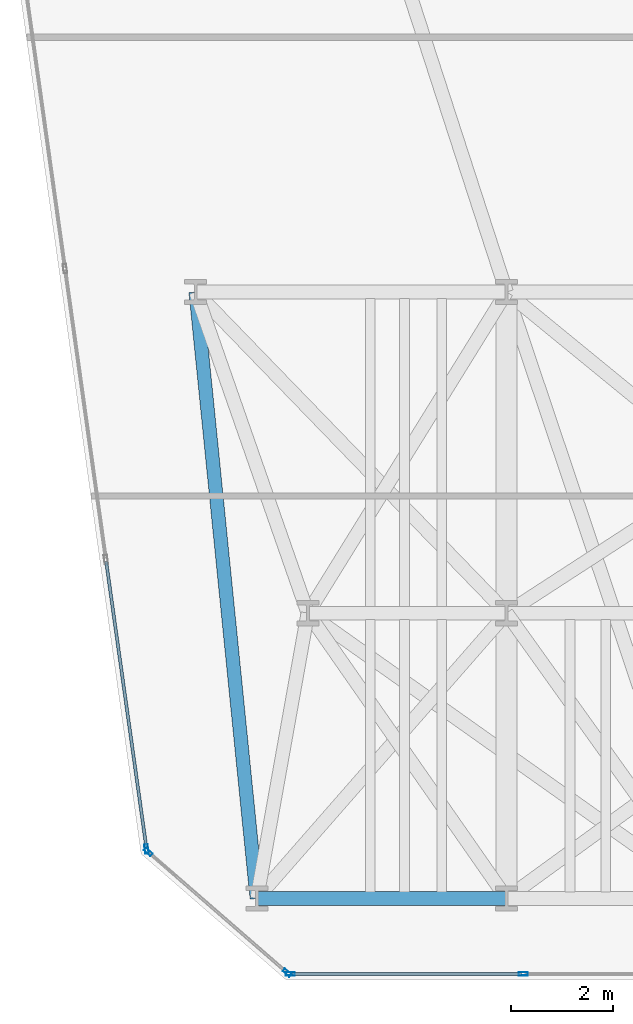
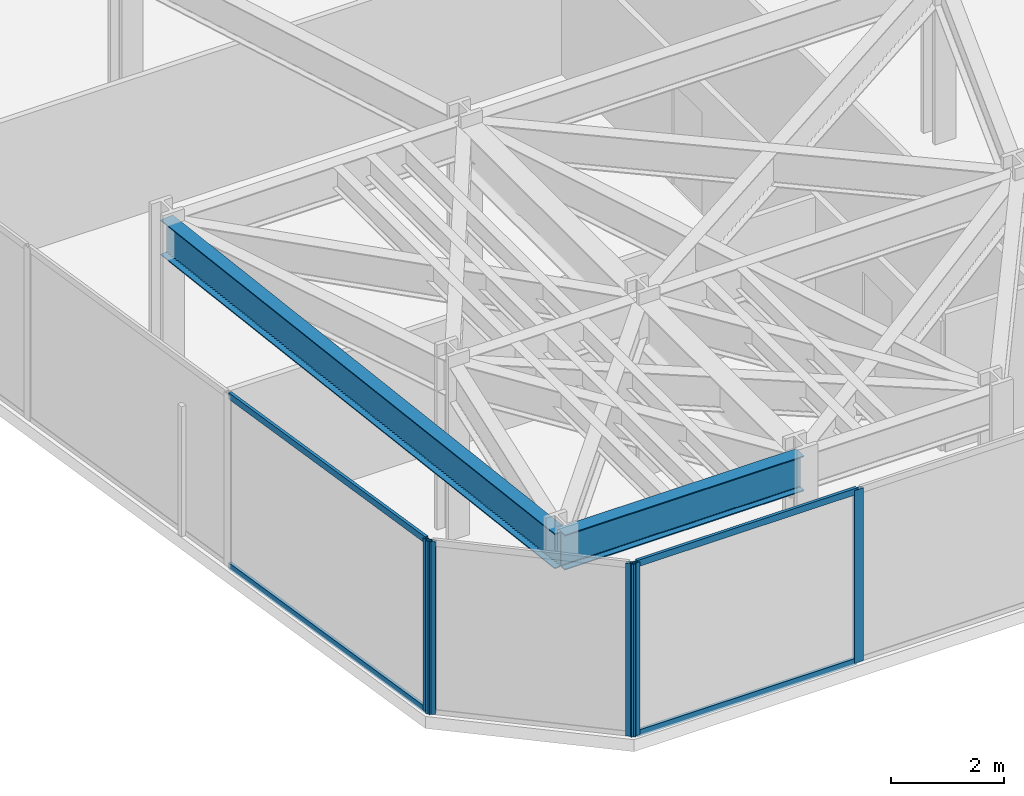
# One storey, part 2 of 24: 9 members, 2 beams, 3 elements without a shape of their own.
"""IFC4 building model written with IfcOpenShell, lengths in metres."""

from ifc_helpers import new_model, si_unit, direction, frame, origin, origin_2d, place, context, subcontext, project, spatial, hollow_rectangle, i_section, extrude, material, layer, layer_set, material_profile, profile_set, type_object, element, aggregate, save


model = new_model("IFC4")

# Units and contexts
model_context = context("Model", 3, precision=1e-05, world=origin(), true_north=direction((0.0, 1.0)))
body_context = subcontext(model_context, "Body", "Model", "MODEL_VIEW")
ifc_project = project(units=[si_unit("LENGTHUNIT", "METRE"), si_unit("AREAUNIT", "SQUARE_METRE"), si_unit("VOLUMEUNIT", "CUBIC_METRE"), si_unit("PLANEANGLEUNIT", "RADIAN"), si_unit("MASSUNIT", "GRAM", prefix="KILO")], contexts=[model_context])

# Site, building, storey
site_placement = place(None, origin())
site = spatial("IfcSite", under=ifc_project, at=site_placement, CompositionType="ELEMENT")
building_placement = place(site_placement, origin())
building = spatial("IfcBuilding", under=site, at=building_placement, Name="Kravanh Interchange Tower", CompositionType="ELEMENT")
storey_placement = place(building_placement, frame((0.0, 0.0, 77.5)))
storey = spatial("IfcBuildingStorey", under=building, at=storey_placement, Name="L18", CompositionType="ELEMENT", Elevation=77.5)

# Curtain wall, member
ifc_material_1 = material(Name="Anodised Bronze Aluminium", Category="aluminium")
ifc_layer = layer(ifc_material_1, 0.179931640625)
ifc_layer_set = layer_set([ifc_layer], Name="Unitised Curtain Wall System CW-Z1 Lower Office")
curtain_wall_type = type_object("IfcCurtainWallType", Name="Unitised Curtain Wall System CW-Z1 Lower Office", PredefinedType="NOTDEFINED", material=ifc_layer_set)
curtain_wall_1_placement = place(storey_placement, origin())
curtain_wall_1 = element("IfcCurtainWall", 1, at=curtain_wall_1_placement, inside=storey, type_object=curtain_wall_type, Name="L18 Unitised Curtain Wall CW-L18-01", PredefinedType="NOTDEFINED")
ifc_material_2 = material(Name="Anodised Bronze Aluminium", Category="aluminium")
ifc_material_profile_1 = material_profile(ifc_material_2, hollow_rectangle(XDim=0.070068359375, YDim=0.179931640625, WallThickness=0.00390625, at=origin_2d()), Name="ALU70X180X4")
ifc_profile_set_1 = profile_set([ifc_material_profile_1], Name="Anodised Bronze Aluminium")
member_type_1 = type_object("IfcMemberType", Name="Curtain Wall Mullion ALU70X180X4 Bronze", PredefinedType="MULLION", material=ifc_profile_set_1)
member_1_placement = place(storey_placement, frame((10.435546875, 3.571533203125, 0.0), z_axis=(0.0, 0.0, 1.0), x_axis=(-0.990267585682, -0.139176538065, 0.0)))
member_1 = element("IfcMember", 2, at=member_1_placement, type_object=member_type_1, Name="CW-Z1 mullion 1", PredefinedType="MULLION", context=body_context, shape_type="SweptSolid", body=[
    extrude(hollow_rectangle(XDim=0.070068359375, YDim=0.179931640625, WallThickness=0.00390625, at=origin_2d()), origin(), (0.0, 0.0, 1.0), 3.739990234375),
])

# Curtain wall, members
curtain_wall_2_placement = place(storey_placement, origin())
curtain_wall_2 = element("IfcCurtainWall", 3, at=curtain_wall_2_placement, inside=storey, type_object=curtain_wall_type, Name="L18 Unitised Curtain Wall CW-L18-06", PredefinedType="NOTDEFINED")
member_2_placement = place(storey_placement, frame((17.8271484375, 1.1201171875, 0.0), z_axis=(0.0, 0.0, 1.0), x_axis=(0.0, -1.0, 0.0)))
member_2 = element("IfcMember", 4, at=member_2_placement, type_object=member_type_1, Name="CW-Z1 mullion 2", PredefinedType="MULLION", context=body_context, shape_type="SweptSolid", body=[
    extrude(hollow_rectangle(XDim=0.070068359375, YDim=0.179931640625, WallThickness=0.00390625, at=origin_2d()), origin(), (0.0, 0.0, 1.0), 3.739990234375),
])
member_3_placement = place(storey_placement, frame((13.255615234375, 1.1201171875, 0.0), z_axis=(0.0, 0.0, 1.0), x_axis=(0.0, -1.0, 0.0)))
member_3 = element("IfcMember", 5, at=member_3_placement, type_object=member_type_1, Name="CW-Z1 mullion 3", PredefinedType="MULLION", context=body_context, shape_type="SweptSolid", body=[
    extrude(hollow_rectangle(XDim=0.070068359375, YDim=0.179931640625, WallThickness=0.00390625, at=origin_2d()), origin(), (0.0, 0.0, 1.0), 3.739990234375),
])

curtain_wall_3_placement = place(storey_placement, origin())
curtain_wall_3 = element("IfcCurtainWall", 6, at=curtain_wall_3_placement, inside=storey, type_object=curtain_wall_type, Name="L18 Unitised Curtain Wall CW-L18-07", PredefinedType="NOTDEFINED")
member_4_placement = place(storey_placement, frame((13.194091796875, 1.14306640625, 0.0), z_axis=(0.0, 0.0, 1.0), x_axis=(-0.656060422341, -0.754708368999, 0.0)))
member_4 = element("IfcMember", 7, at=member_4_placement, type_object=member_type_1, Name="CW-Z1 mullion 1", PredefinedType="MULLION", context=body_context, shape_type="SweptSolid", body=[
    extrude(hollow_rectangle(XDim=0.070068359375, YDim=0.179931640625, WallThickness=0.00390625, at=origin_2d()), origin(), (0.0, 0.0, 1.0), 3.739990234375),
])
member_5_placement = place(storey_placement, frame((10.466796875, 3.513916015625, 0.0), z_axis=(0.0, 0.0, 1.0), x_axis=(-0.656060422341, -0.754708368999, 0.0)))
member_5 = element("IfcMember", 8, at=member_5_placement, type_object=member_type_1, Name="CW-Z1 mullion 2", PredefinedType="MULLION", context=body_context, shape_type="SweptSolid", body=[
    extrude(hollow_rectangle(XDim=0.070068359375, YDim=0.179931640625, WallThickness=0.00390625, at=origin_2d()), origin(), (0.0, 0.0, 1.0), 3.739990234375),
])
aggregate(curtain_wall_3, [member_4, member_5])

# Member
ifc_material_3 = material(Name="Anodised Bronze Aluminium", Category="aluminium")
ifc_material_profile_2 = material_profile(ifc_material_3, hollow_rectangle(XDim=0.06005859375, YDim=0.139892578125, WallThickness=0.00390625, at=origin_2d()), Name="ALU60X140X4")
ifc_profile_set_2 = profile_set([ifc_material_profile_2], Name="Anodised Bronze Aluminium")
member_type_2 = type_object("IfcMemberType", Name="Curtain Wall Transom ALU60X140X4 Bronze", PredefinedType="USERDEFINED", material=ifc_profile_set_2)
member_6_placement = place(storey_placement, frame((10.4306640625, 3.606201171875, 0.030029296875), z_axis=(-0.139199330487, 0.990264382068, 0.0), x_axis=(-0.990264382068, -0.139199330487, 0.0)))
member_6 = element("IfcMember", 9, at=member_6_placement, type_object=member_type_2, Name="CW-Z1 transom 1.1", ObjectType="TRANSOM", PredefinedType="USERDEFINED", context=body_context, shape_type="SweptSolid", body=[
    extrude(hollow_rectangle(XDim=0.06005859375, YDim=0.139892578125, WallThickness=0.00390625, at=origin_2d()), origin(), (0.0, 0.0, 1.0), 5.66162109375),
])

member_7_placement = place(storey_placement, frame((10.4306640625, 3.606201171875, 3.7099609375), z_axis=(-0.139199330487, 0.990264382068, 0.0), x_axis=(-0.990264382068, -0.139199330487, 0.0)))
member_7 = element("IfcMember", 10, at=member_7_placement, type_object=member_type_2, Name="CW-Z1 transom 1.2", ObjectType="TRANSOM", PredefinedType="USERDEFINED", context=body_context, shape_type="SweptSolid", body=[
    extrude(hollow_rectangle(XDim=0.06005859375, YDim=0.139892578125, WallThickness=0.00390625, at=origin_2d()), origin(), (0.0, 0.0, 1.0), 5.66162109375),
])

aggregate(curtain_wall_1, [member_1, member_6, member_7])

member_8_placement = place(storey_placement, frame((17.792236328125, 1.1201171875, 0.030029296875), z_axis=(-1.0, 0.0, 0.0), x_axis=(0.0, -1.0, 0.0)))
member_8 = element("IfcMember", 11, at=member_8_placement, type_object=member_type_2, Name="CW-Z1 transom 2.1", ObjectType="TRANSOM", PredefinedType="USERDEFINED", context=body_context, shape_type="SweptSolid", body=[
    extrude(hollow_rectangle(XDim=0.06005859375, YDim=0.139892578125, WallThickness=0.00390625, at=origin_2d()), origin(), (0.0, 0.0, 1.0), 4.501708984375),
])

member_9_placement = place(storey_placement, frame((17.792236328125, 1.1201171875, 3.7099609375), z_axis=(-1.0, 0.0, 0.0), x_axis=(0.0, -1.0, 0.0)))
member_9 = element("IfcMember", 12, at=member_9_placement, type_object=member_type_2, Name="CW-Z1 transom 2.2", ObjectType="TRANSOM", PredefinedType="USERDEFINED", context=body_context, shape_type="SweptSolid", body=[
    extrude(hollow_rectangle(XDim=0.06005859375, YDim=0.139892578125, WallThickness=0.00390625, at=origin_2d()), origin(), (0.0, 0.0, 1.0), 4.501708984375),
])

aggregate(curtain_wall_2, [member_2, member_3, member_8, member_9])

# Beams
ifc_material_4 = material(Name="Structural Steel S355", Category="steel")
ifc_material_profile_3 = material_profile(ifc_material_4, i_section(OverallWidth=0.26708984375, OverallDepth=0.761962890625, WebThickness=0.014404296875, FlangeThickness=0.021484375, FilletRadius=0.02490234375, at=origin_2d()), Name="W30X116")
ifc_profile_set_3 = profile_set([ifc_material_profile_3], Name="Structural Steel S355")
beam_type = type_object("IfcBeamType", Name="Floor Spandrel W30X116 Structural Steel S355", PredefinedType="SPANDREL", material=ifc_profile_set_3)
beam_1_placement = place(storey_placement, frame((12.60009765625, 2.60009765625, 3.35888671875), z_axis=(1.0, 0.0, 0.0), x_axis=(0.0, 1.0, 0.0)))
element("IfcBeam", 13, at=beam_1_placement, inside=storey, type_object=beam_type, Name="L18 Perimeter Spandrel 38", PredefinedType="SPANDREL", context=body_context, shape_type="SweptSolid", body=[
    extrude(i_section(OverallWidth=0.26708984375, OverallDepth=0.761962890625, WebThickness=0.014404296875, FlangeThickness=0.021484375, FilletRadius=0.02490234375, at=origin_2d()), origin(), (0.0, 0.0, 1.0), 4.89990234375),
])
beam_2_placement = place(storey_placement, frame((12.60009765625, 2.60009765625, 3.35888671875), z_axis=(-0.100348483042, 0.994952351598, 0.0), x_axis=(-0.994952351598, -0.100348483042, 0.0)))
element("IfcBeam", 14, at=beam_2_placement, inside=storey, type_object=beam_type, Name="L18 Perimeter Spandrel 41", PredefinedType="SPANDREL", context=body_context, shape_type="SweptSolid", body=[
    extrude(i_section(OverallWidth=0.26708984375, OverallDepth=0.761962890625, WebThickness=0.014404296875, FlangeThickness=0.021484375, FilletRadius=0.02490234375, at=origin_2d()), origin(), (0.0, 0.0, 1.0), 11.960205078125),
])

save(model, "model.ifc")
